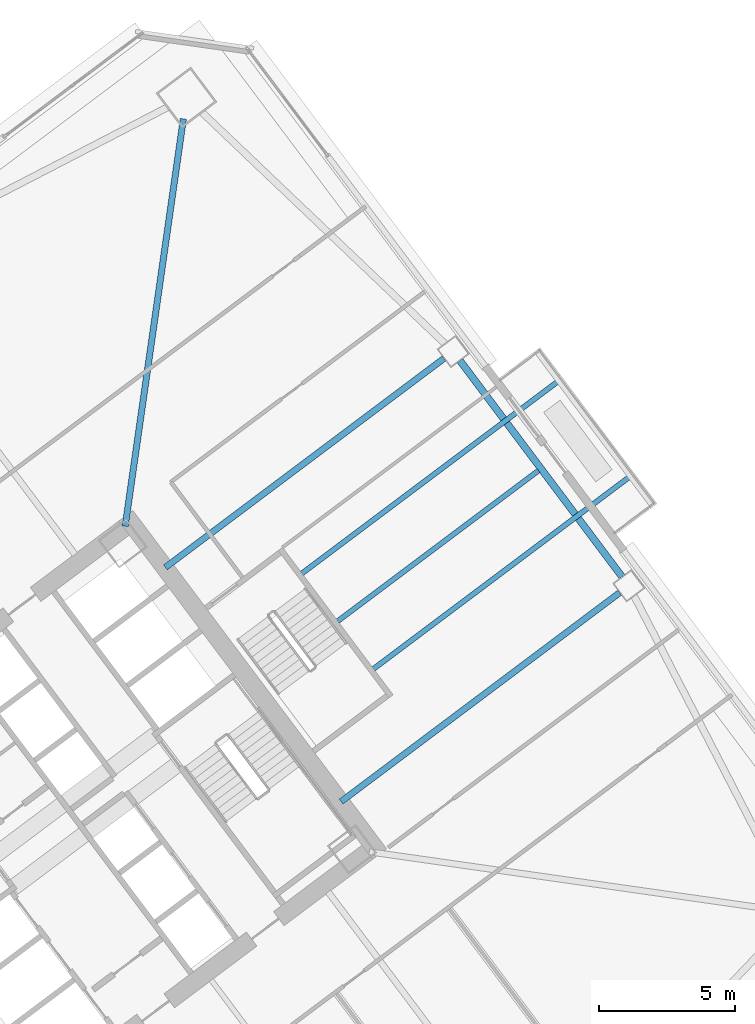
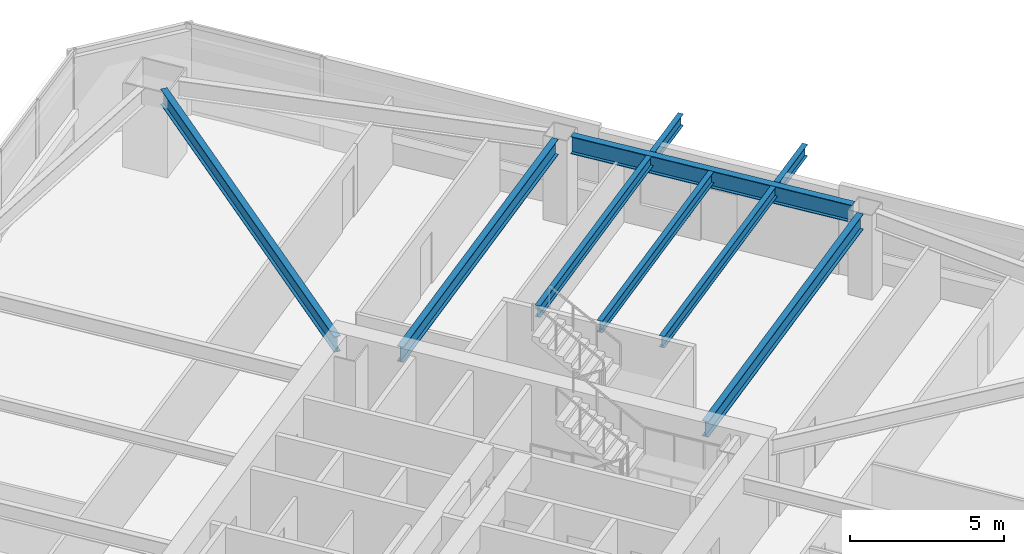
# One storey, part 31 of 47: 7 beams.
"""IFC4 building model written with IfcOpenShell, lengths in metres."""

import ifcopenshell
import ifcopenshell.guid

model = None  # the IFC model being written
_history = None  # IfcOwnerHistory: only IFC2X3 demands one
_inside = {}  # id of a spatial element -> (the spatial element, [elements in it])
_under = {}  # id of a project, library or spatial element -> (it, [spatial elements below it])
_declared = {}  # id of a project -> (the project, [libraries it declares])
_typed = {}  # id of a type object -> (the type object, [elements of that type])
_made_of = {}  # id of a material, layer set ... -> (it, [elements and type objects made of it])


def new_model(schema):
    """Start an empty IFC model of exactly this schema.

    Asked for "IFC4X3", IfcOpenShell would pick the latest addendum, in which some entities
    have other attributes; the version numbers below select the first issue.
    IFC2X3 requires an IfcOwnerHistory on every rooted entity: one is made here for all.
    """
    global model, _history
    if schema == "IFC4X3":
        model = ifcopenshell.file(schema_version=(4, 3, 0, 0))
    else:
        model = ifcopenshell.file(schema=schema)
    _inside.clear()
    _under.clear()
    _declared.clear()
    _typed.clear()
    _made_of.clear()
    _history = None
    if model.schema == "IFC2X3":
        org = make("IfcOrganization", Name="unknown")
        user = make(
            "IfcPersonAndOrganization",
            ThePerson=make("IfcPerson", FamilyName="unknown"),
            TheOrganization=org,
        )
        app = make(
            "IfcApplication",
            ApplicationDeveloper=org,
            Version="unknown",
            ApplicationFullName="unknown",
            ApplicationIdentifier="unknown",
        )
        _history = make(
            "IfcOwnerHistory",
            OwningUser=user,
            OwningApplication=app,
            ChangeAction="ADDED",
            CreationDate=0,
        )
    return model


def make(cls, **values):
    """One entity of the class cls with the attributes given. An attribute that is None is left unset."""
    return model.create_entity(
        cls, **{name: value for name, value in values.items() if value is not None}
    )


def rooted(cls, **values):
    """An entity with a GlobalId (a new one), such as an element, a storey or a relation."""
    return make(cls, GlobalId=ifcopenshell.guid.new(), OwnerHistory=_history, **values)


def si_unit(unit_type, name, prefix=None):
    """IfcSIUnit, for example si_unit("LENGTHUNIT", "METRE", prefix="MILLI")."""
    return make("IfcSIUnit", UnitType=unit_type, Prefix=prefix, Name=name)


def assignment(units):
    """IfcUnitAssignment: the units of a project."""
    return None if units is None else make("IfcUnitAssignment", Units=units)


def point(xyz):
    """IfcCartesianPoint."""
    return None if xyz is None else make("IfcCartesianPoint", Coordinates=xyz)


def direction(xyz):
    """IfcDirection."""
    return None if xyz is None else make("IfcDirection", DirectionRatios=xyz)


def frame(location, z_axis=None, x_axis=None):
    """IfcAxis2Placement3D, a coordinate frame: its origin and axes. An axis left out is left unset."""
    return make(
        "IfcAxis2Placement3D",
        Location=point(location),
        Axis=direction(z_axis),
        RefDirection=direction(x_axis),
    )


def frame_2d(location, x_axis=None):
    """IfcAxis2Placement2D, a coordinate frame in the plane: its origin and x axis."""
    return make(
        "IfcAxis2Placement2D", Location=point(location), RefDirection=direction(x_axis)
    )


def origin():
    """The frame at (0, 0, 0) with its axes left unset."""
    return frame((0.0, 0.0, 0.0))


def origin_2d():
    """The frame at (0, 0) in the plane with its x axis left unset."""
    return frame_2d((0.0, 0.0))


def place(relative_to, where):
    """IfcLocalPlacement: puts the frame where relative to a parent placement (None: the world)."""
    return make(
        "IfcLocalPlacement", PlacementRelTo=relative_to, RelativePlacement=where
    )


def context(
    kind, dimensions, precision=None, world=None, true_north=None, identifier=None
):
    """IfcGeometricRepresentationContext, for example the 3D "Model" context."""
    return make(
        "IfcGeometricRepresentationContext",
        ContextIdentifier=identifier,
        ContextType=kind,
        CoordinateSpaceDimension=dimensions,
        Precision=precision,
        WorldCoordinateSystem=world,
        TrueNorth=true_north,
    )


def subcontext(parent, identifier, kind, view, scale=None):
    """IfcGeometricRepresentationSubContext, for example "Body" below "Model"."""
    return make(
        "IfcGeometricRepresentationSubContext",
        ContextIdentifier=identifier,
        ContextType=kind,
        ParentContext=parent,
        TargetScale=scale,
        TargetView=view,
    )


def project(units=None, contexts=None):
    """IfcProject with its units and contexts."""
    return rooted(
        "IfcProject",
        Name="project",
        RepresentationContexts=contexts,
        UnitsInContext=assignment(units),
    )


def spatial(cls, under=None, at=None, **own):
    """A site, building, storey or space (cls), placed at a placement, below another one or the project."""
    s = rooted(cls, ObjectPlacement=at, **own)
    if under is not None:
        _under.setdefault(under.id(), (under, []))[1].append(s)
    return s


def profile(cls, at=None, kind="AREA", **sizes):
    """A parametric profile (cls). Its sizes go by their IFC names, for example OverallWidth=200.0."""
    return make(cls, ProfileType=kind, Position=at, **sizes)


def i_section(**sizes):
    """IfcIShapeProfileDef."""
    return profile("IfcIShapeProfileDef", **sizes)


def extrude(swept, where, along, depth):
    """IfcExtrudedAreaSolid: the profile swept, set in the frame where, extruded along a direction by depth."""
    return make(
        "IfcExtrudedAreaSolid",
        SweptArea=swept,
        Position=where,
        ExtrudedDirection=direction(along),
        Depth=depth,
    )


def shape(context_of_items, identifier, shape_type, items):
    """IfcShapeRepresentation: the items that make up one representation, for example the "Body"."""
    return make(
        "IfcShapeRepresentation",
        ContextOfItems=context_of_items,
        RepresentationIdentifier=identifier,
        RepresentationType=shape_type,
        Items=items,
    )


def material(Name=None, Category=None):
    """IfcMaterial."""
    return make("IfcMaterial", Name=Name, Category=Category)


def material_profile(
    of_material, cross_section, Name=None, Category=None, Priority=None
):
    """IfcMaterialProfile: a cross section and its material."""
    return make(
        "IfcMaterialProfile",
        Name=Name,
        Material=of_material,
        Profile=cross_section,
        Priority=Priority,
        Category=Category,
    )


def profile_set(profiles, Name=None, composite=None):
    """IfcMaterialProfileSet."""
    return make(
        "IfcMaterialProfileSet",
        Name=Name,
        MaterialProfiles=profiles,
        CompositeProfile=composite,
    )


def made_of(thing, what):
    """Note that an element or type object is made of a material, layer set ...; save() writes the relation."""
    if what is not None:
        _made_of.setdefault(what.id(), (what, []))[1].append(thing)
    return thing


def type_object(cls, material=None, **own):
    """A type object (cls), such as IfcWallType, which elements share."""
    return made_of(rooted(cls, **own), material)


def element(
    cls,
    number,
    at=None,
    inside=None,
    cuts=None,
    type_object=None,
    material=None,
    context=None,
    identifier="Body",
    shape_type=None,
    held_by="IfcProductDefinitionShape",
    body=None,
    shapes=None,
    **own,
):
    """One element of the class cls, such as IfcWall. Its Tag is "e" and its number.

    at: its placement. inside: the storey or other place that contains it. cuts: it is an
    opening in that element (IfcRelVoidsElement). A single representation is given by context,
    identifier, shape_type and body (its items); several are given by shapes. held_by: the class
    of the entity that holds the representations. save() writes the other relations.
    """
    e = rooted(cls, Tag="e%d" % number, ObjectPlacement=at, **own)
    if body is not None:
        shapes = [shape(context, identifier, shape_type, body)]
    if shapes is not None:
        e.Representation = make(held_by, Representations=shapes)
    if inside is not None:
        _inside.setdefault(inside.id(), (inside, []))[1].append(e)
    if cuts is not None:
        rooted(
            "IfcRelVoidsElement", RelatingBuildingElement=cuts, RelatedOpeningElement=e
        )
    if type_object is not None:
        _typed.setdefault(type_object.id(), (type_object, []))[1].append(e)
    return made_of(e, material)


def aggregate(whole, parts):
    """IfcRelAggregates: a whole, such as a stair, and the parts it consists of."""
    return rooted("IfcRelAggregates", RelatingObject=whole, RelatedObjects=parts)


def save(model, path):
    """Write the relations noted so far, then the file.

    IfcRelAggregates (storeys below a building ...), IfcRelContainedInSpatialStructure (elements
    in a storey), IfcRelDefinesByType, IfcRelAssociatesMaterial and IfcRelDeclares: one each for
    every whole, place, type object, material and project.
    """
    for whole, parts in _under.values():
        aggregate(whole, parts)
    for where, things in _inside.values():
        rooted(
            "IfcRelContainedInSpatialStructure",
            RelatedElements=things,
            RelatingStructure=where,
        )
    for kind, things in _typed.values():
        rooted("IfcRelDefinesByType", RelatedObjects=things, RelatingType=kind)
    for what, things in _made_of.values():
        rooted("IfcRelAssociatesMaterial", RelatedObjects=things, RelatingMaterial=what)
    for by, libraries in _declared.values():
        rooted("IfcRelDeclares", RelatingContext=by, RelatedDefinitions=libraries)
    model.write(path)


model = new_model("IFC4")

# Units and contexts
model_context = context("Model", 3, precision=1e-05, world=origin(), true_north=direction((0.0, 1.0)))
body_context = subcontext(model_context, "Body", "Model", "MODEL_VIEW")
ifc_project = project(units=[si_unit("LENGTHUNIT", "METRE"), si_unit("AREAUNIT", "SQUARE_METRE"), si_unit("VOLUMEUNIT", "CUBIC_METRE"), si_unit("PLANEANGLEUNIT", "RADIAN"), si_unit("MASSUNIT", "GRAM", prefix="KILO")], contexts=[model_context])

# Site, building, storey
site_placement = place(None, origin())
site = spatial("IfcSite", under=ifc_project, at=site_placement, CompositionType="ELEMENT")
building_placement = place(site_placement, origin())
building = spatial("IfcBuilding", under=site, at=building_placement, Name="Tashvorn Skyway Center", CompositionType="ELEMENT")
storey_placement = place(building_placement, frame((0.0, 0.0, 42.35009765625)))
storey = spatial("IfcBuildingStorey", under=building, at=storey_placement, Name="L10", CompositionType="ELEMENT", Elevation=42.35009765625)

# Beams
ifc_material = material(Name="Steel ASTM A992 Grade 50", Category="steel")
ifc_material_profile_1 = material_profile(ifc_material, i_section(OverallWidth=0.22998046875, OverallDepth=0.616943359375, WebThickness=0.01318359375, FlangeThickness=0.022216796875, at=origin_2d()), Name="W24X94")
ifc_profile_set_1 = profile_set([ifc_material_profile_1], Name="Steel ASTM A992 Grade 50")
beam_type_1 = type_object("IfcBeamType", Name="BM-BEAM-W24X94", PredefinedType="BEAM", material=ifc_profile_set_1)
beam_1_placement = place(storey_placement, frame((117.6474609375, 57.532958984375, 3.04150390625), z_axis=(-0.141414599991, -0.989950458816, 0.0), x_axis=(0.989950458816, -0.141414599991, 0.0)))
element("IfcBeam", 1, at=beam_1_placement, inside=storey, type_object=beam_type_1, Name="Tower 2 L10 Primary Floor Girder MC-NE", PredefinedType="BEAM", context=body_context, shape_type="SweptSolid", body=[
    extrude(i_section(OverallWidth=0.22998046875, OverallDepth=0.616943359375, WebThickness=0.01318359375, FlangeThickness=0.022216796875, at=origin_2d()), origin(), (0.0, 0.0, 1.0), 15.177001953125),
])
beam_2_placement = place(storey_placement, frame((133.743896484375, 40.05810546875, 3.04150390625), z_axis=(-0.799986320265, -0.600018239213, 0.0), x_axis=(0.600018239213, -0.799986320265, 0.0)))
element("IfcBeam", 2, at=beam_2_placement, inside=storey, type_object=beam_type_1, Name="Tower 2 L10 Primary Floor Girder FC-E1", PredefinedType="BEAM", context=body_context, shape_type="SweptSolid", body=[
    extrude(i_section(OverallWidth=0.22998046875, OverallDepth=0.616943359375, WebThickness=0.01318359375, FlangeThickness=0.022216796875, at=origin_2d()), origin(), (0.0, 0.0, 1.0), 12.849853515625),
])
beam_3_placement = place(storey_placement, frame((127.263916015625, 48.697998046875, 3.04150390625), z_axis=(-0.800002279907, -0.599996960112, 0.0), x_axis=(0.599996960112, -0.800002279907, 0.0)))
element("IfcBeam", 3, at=beam_3_placement, inside=storey, type_object=beam_type_1, Name="Tower 2 L10 Primary Floor Girder FC-E2", PredefinedType="BEAM", context=body_context, shape_type="SweptSolid", body=[
    extrude(i_section(OverallWidth=0.22998046875, OverallDepth=0.616943359375, WebThickness=0.01318359375, FlangeThickness=0.022216796875, at=origin_2d()), origin(), (0.0, 0.0, 1.0), 12.85009765625),
])
ifc_material_profile_2 = material_profile(ifc_material, i_section(OverallWidth=0.19091796875, OverallDepth=0.4599609375, WebThickness=0.010009765625, FlangeThickness=0.01611328125, at=origin_2d()), Name="W18X55")
ifc_profile_set_2 = profile_set([ifc_material_profile_2], Name="Steel ASTM A992 Grade 50")
beam_type_2 = type_object("IfcBeamType", Name="BM-JOIST-W18X55", PredefinedType="JOIST", material=ifc_profile_set_2)
beam_4_placement = place(storey_placement, frame((123.3359375, 39.001953125, 3.119873046875), z_axis=(0.799990508532, 0.600012655082, 0.0), x_axis=(-0.600012655082, 0.799990508532, 0.0)))
element("IfcBeam", 4, at=beam_4_placement, inside=storey, type_object=beam_type_2, Name="Tower 2 L10 Secondary Composite Joist JE", PredefinedType="JOIST", context=body_context, shape_type="SweptSolid", body=[
    extrude(i_section(OverallWidth=0.19091796875, OverallDepth=0.4599609375, WebThickness=0.010009765625, FlangeThickness=0.01611328125, at=origin_2d()), origin(), (0.0, 0.0, 1.0), 9.260009765625),
])
beam_5_placement = place(storey_placement, frame((124.656005859375, 37.241943359375, 3.119873046875), z_axis=(0.799990135649, 0.600013152243, 0.0), x_axis=(-0.600013152243, 0.799990135649, 0.0)))
element("IfcBeam", 5, at=beam_5_placement, inside=storey, type_object=beam_type_2, Name="Tower 2 L11 Terrace Cantilever Outlooker 1", PredefinedType="JOIST", context=body_context, shape_type="SweptSolid", body=[
    extrude(i_section(OverallWidth=0.19091796875, OverallDepth=0.4599609375, WebThickness=0.010009765625, FlangeThickness=0.01611328125, at=origin_2d()), origin(), (0.0, 0.0, 1.0), 11.880126953125),
])
beam_6_placement = place(storey_placement, frame((122.01611328125, 40.761962890625, 3.119873046875), z_axis=(0.8, 0.6, 0.0), x_axis=(-0.6, 0.8, 0.0)))
element("IfcBeam", 6, at=beam_6_placement, inside=storey, type_object=beam_type_2, Name="Tower 2 L11 Terrace Cantilever Outlooker 2", PredefinedType="JOIST", context=body_context, shape_type="SweptSolid", body=[
    extrude(i_section(OverallWidth=0.19091796875, OverallDepth=0.4599609375, WebThickness=0.010009765625, FlangeThickness=0.01611328125, at=origin_2d()), origin(), (0.0, 0.0, 1.0), 11.8798828125),
])
ifc_material_profile_3 = material_profile(ifc_material, i_section(OverallWidth=0.256103515625, OverallDepth=0.693115234375, WebThickness=0.014404296875, FlangeThickness=0.023681640625, at=origin_2d()), Name="W27X114")
ifc_profile_set_3 = profile_set([ifc_material_profile_3], Name="Steel ASTM A992 Grade 50")
beam_type_3 = type_object("IfcBeamType", Name="BM-SPANDREL-W27X114", PredefinedType="SPANDREL", material=ifc_profile_set_3)
beam_7_placement = place(storey_placement, frame((133.827880859375, 40.64599609375, 3.00341796875), z_axis=(-0.599988234018, 0.800008824351, 0.0), x_axis=(-0.800008824351, -0.599988234018, 0.0)))
element("IfcBeam", 7, at=beam_7_placement, inside=storey, type_object=beam_type_3, Name="Tower 2 L10 Spandrel Beam 05", PredefinedType="SPANDREL", context=body_context, shape_type="SweptSolid", body=[
    extrude(i_section(OverallWidth=0.256103515625, OverallDepth=0.693115234375, WebThickness=0.014404296875, FlangeThickness=0.023681640625, at=origin_2d()), origin(), (0.0, 0.0, 1.0), 9.9599609375),
])

save(model, "model.ifc")
